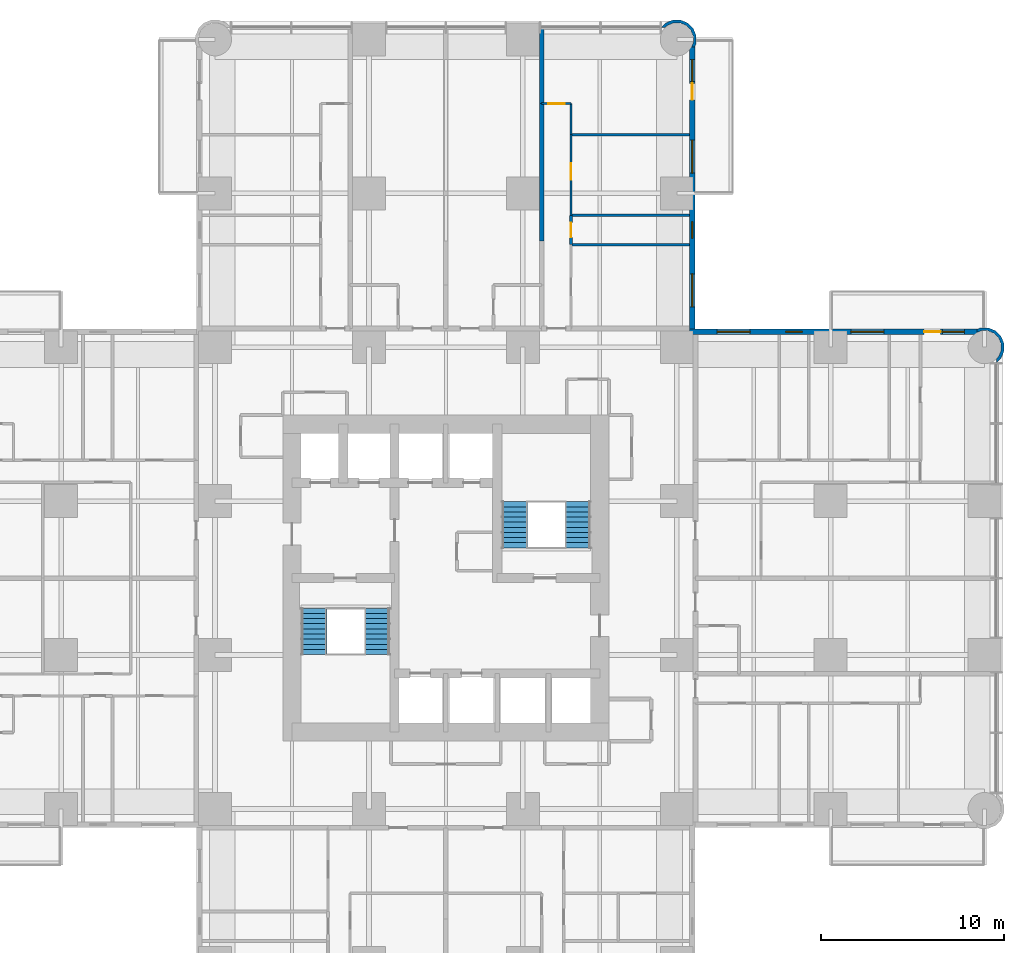
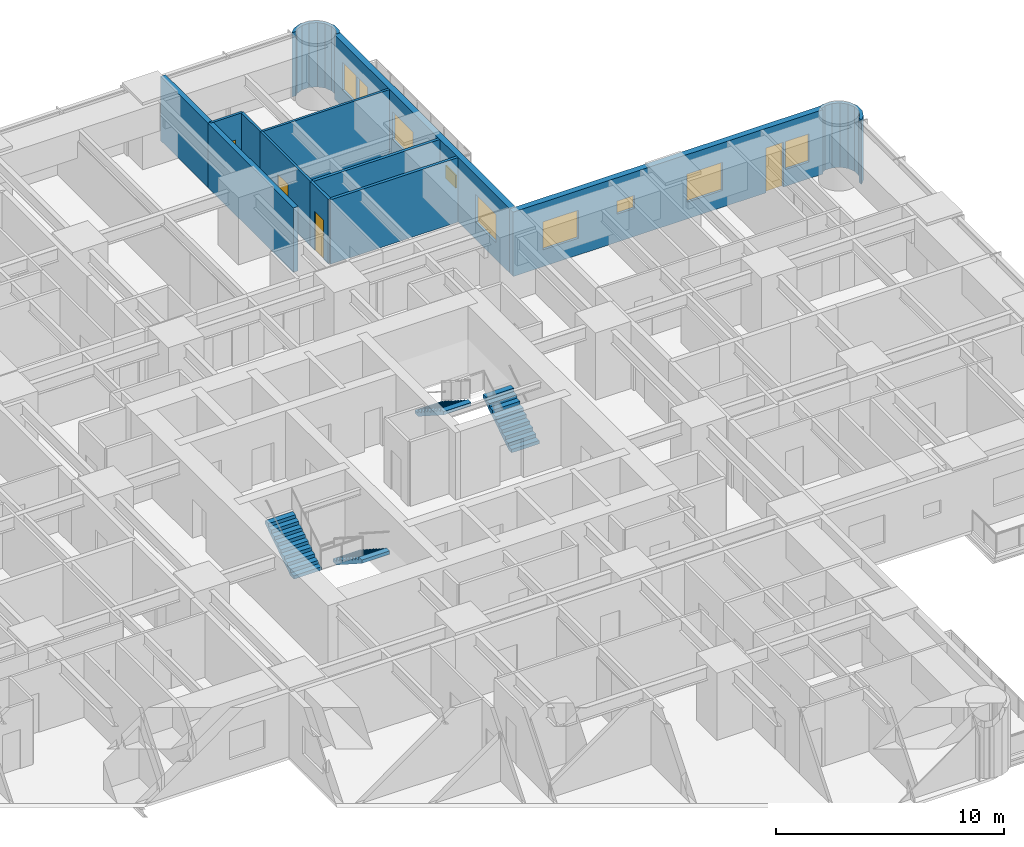
# One storey, part 15 of 17: 13 walls, 8 windows, 5 doors, 4 stair flights, 13 openings, 2 elements without a shape of their own.
"""IFC4 building model written with IfcOpenShell, lengths in metres."""

import ifcopenshell
import ifcopenshell.guid

model = None  # the IFC model being written
_history = None  # IfcOwnerHistory: only IFC2X3 demands one
_inside = {}  # id of a spatial element -> (the spatial element, [elements in it])
_under = {}  # id of a project, library or spatial element -> (it, [spatial elements below it])
_declared = {}  # id of a project -> (the project, [libraries it declares])
_typed = {}  # id of a type object -> (the type object, [elements of that type])
_made_of = {}  # id of a material, layer set ... -> (it, [elements and type objects made of it])


def new_model(schema):
    """Start an empty IFC model of exactly this schema.

    Asked for "IFC4X3", IfcOpenShell would pick the latest addendum, in which some entities
    have other attributes; the version numbers below select the first issue.
    IFC2X3 requires an IfcOwnerHistory on every rooted entity: one is made here for all.
    """
    global model, _history
    if schema == "IFC4X3":
        model = ifcopenshell.file(schema_version=(4, 3, 0, 0))
    else:
        model = ifcopenshell.file(schema=schema)
    _inside.clear()
    _under.clear()
    _declared.clear()
    _typed.clear()
    _made_of.clear()
    _history = None
    if model.schema == "IFC2X3":
        org = make("IfcOrganization", Name="unknown")
        user = make(
            "IfcPersonAndOrganization",
            ThePerson=make("IfcPerson", FamilyName="unknown"),
            TheOrganization=org,
        )
        app = make(
            "IfcApplication",
            ApplicationDeveloper=org,
            Version="unknown",
            ApplicationFullName="unknown",
            ApplicationIdentifier="unknown",
        )
        _history = make(
            "IfcOwnerHistory",
            OwningUser=user,
            OwningApplication=app,
            ChangeAction="ADDED",
            CreationDate=0,
        )
    return model


def make(cls, **values):
    """One entity of the class cls with the attributes given. An attribute that is None is left unset."""
    return model.create_entity(
        cls, **{name: value for name, value in values.items() if value is not None}
    )


def rooted(cls, **values):
    """An entity with a GlobalId (a new one), such as an element, a storey or a relation."""
    return make(cls, GlobalId=ifcopenshell.guid.new(), OwnerHistory=_history, **values)


def si_unit(unit_type, name, prefix=None):
    """IfcSIUnit, for example si_unit("LENGTHUNIT", "METRE", prefix="MILLI")."""
    return make("IfcSIUnit", UnitType=unit_type, Prefix=prefix, Name=name)


def assignment(units):
    """IfcUnitAssignment: the units of a project."""
    return None if units is None else make("IfcUnitAssignment", Units=units)


def point(xyz):
    """IfcCartesianPoint."""
    return None if xyz is None else make("IfcCartesianPoint", Coordinates=xyz)


def direction(xyz):
    """IfcDirection."""
    return None if xyz is None else make("IfcDirection", DirectionRatios=xyz)


def frame(location, z_axis=None, x_axis=None):
    """IfcAxis2Placement3D, a coordinate frame: its origin and axes. An axis left out is left unset."""
    return make(
        "IfcAxis2Placement3D",
        Location=point(location),
        Axis=direction(z_axis),
        RefDirection=direction(x_axis),
    )


def frame_2d(location, x_axis=None):
    """IfcAxis2Placement2D, a coordinate frame in the plane: its origin and x axis."""
    return make(
        "IfcAxis2Placement2D", Location=point(location), RefDirection=direction(x_axis)
    )


def origin():
    """The frame at (0, 0, 0) with its axes left unset."""
    return frame((0.0, 0.0, 0.0))


def place(relative_to, where):
    """IfcLocalPlacement: puts the frame where relative to a parent placement (None: the world)."""
    return make(
        "IfcLocalPlacement", PlacementRelTo=relative_to, RelativePlacement=where
    )


def context(
    kind, dimensions, precision=None, world=None, true_north=None, identifier=None
):
    """IfcGeometricRepresentationContext, for example the 3D "Model" context."""
    return make(
        "IfcGeometricRepresentationContext",
        ContextIdentifier=identifier,
        ContextType=kind,
        CoordinateSpaceDimension=dimensions,
        Precision=precision,
        WorldCoordinateSystem=world,
        TrueNorth=true_north,
    )


def subcontext(parent, identifier, kind, view, scale=None):
    """IfcGeometricRepresentationSubContext, for example "Body" below "Model"."""
    return make(
        "IfcGeometricRepresentationSubContext",
        ContextIdentifier=identifier,
        ContextType=kind,
        ParentContext=parent,
        TargetScale=scale,
        TargetView=view,
    )


def project(units=None, contexts=None):
    """IfcProject with its units and contexts."""
    return rooted(
        "IfcProject",
        Name="project",
        RepresentationContexts=contexts,
        UnitsInContext=assignment(units),
    )


def spatial(cls, under=None, at=None, **own):
    """A site, building, storey or space (cls), placed at a placement, below another one or the project."""
    s = rooted(cls, ObjectPlacement=at, **own)
    if under is not None:
        _under.setdefault(under.id(), (under, []))[1].append(s)
    return s


def polyline(points):
    """IfcPolyline through the points."""
    return make("IfcPolyline", Points=[point(p) for p in points])


def profile(cls, at=None, kind="AREA", **sizes):
    """A parametric profile (cls). Its sizes go by their IFC names, for example OverallWidth=200.0."""
    return make(cls, ProfileType=kind, Position=at, **sizes)


def rectangle(**sizes):
    """IfcRectangleProfileDef."""
    return profile("IfcRectangleProfileDef", **sizes)


def outline(outer, holes=None, kind="AREA"):
    """IfcArbitraryClosedProfileDef: a profile drawn as a closed curve; with holes, ...WithVoids."""
    if holes is None:
        return make("IfcArbitraryClosedProfileDef", ProfileType=kind, OuterCurve=outer)
    return make(
        "IfcArbitraryProfileDefWithVoids",
        ProfileType=kind,
        OuterCurve=outer,
        InnerCurves=holes,
    )


def extrude(swept, where, along, depth):
    """IfcExtrudedAreaSolid: the profile swept, set in the frame where, extruded along a direction by depth."""
    return make(
        "IfcExtrudedAreaSolid",
        SweptArea=swept,
        Position=where,
        ExtrudedDirection=direction(along),
        Depth=depth,
    )


def shape(context_of_items, identifier, shape_type, items):
    """IfcShapeRepresentation: the items that make up one representation, for example the "Body"."""
    return make(
        "IfcShapeRepresentation",
        ContextOfItems=context_of_items,
        RepresentationIdentifier=identifier,
        RepresentationType=shape_type,
        Items=items,
    )


def material(Name=None, Category=None):
    """IfcMaterial."""
    return make("IfcMaterial", Name=Name, Category=Category)


def layer(
    of_material, thickness, ventilated=None, Name=None, Category=None, Priority=None
):
    """IfcMaterialLayer: one layer of a wall or slab, of a material (None: an air gap)."""
    return make(
        "IfcMaterialLayer",
        Material=of_material,
        LayerThickness=thickness,
        IsVentilated=ventilated,
        Name=Name,
        Category=Category,
        Priority=Priority,
    )


def layer_set(layers, Name=None):
    """IfcMaterialLayerSet."""
    return make("IfcMaterialLayerSet", MaterialLayers=layers, LayerSetName=Name)


def made_of(thing, what):
    """Note that an element or type object is made of a material, layer set ...; save() writes the relation."""
    if what is not None:
        _made_of.setdefault(what.id(), (what, []))[1].append(thing)
    return thing


def type_object(cls, material=None, **own):
    """A type object (cls), such as IfcWallType, which elements share."""
    return made_of(rooted(cls, **own), material)


def element(
    cls,
    number,
    at=None,
    inside=None,
    cuts=None,
    type_object=None,
    material=None,
    context=None,
    identifier="Body",
    shape_type=None,
    held_by="IfcProductDefinitionShape",
    body=None,
    shapes=None,
    **own,
):
    """One element of the class cls, such as IfcWall. Its Tag is "e" and its number.

    at: its placement. inside: the storey or other place that contains it. cuts: it is an
    opening in that element (IfcRelVoidsElement). A single representation is given by context,
    identifier, shape_type and body (its items); several are given by shapes. held_by: the class
    of the entity that holds the representations. save() writes the other relations.
    """
    e = rooted(cls, Tag="e%d" % number, ObjectPlacement=at, **own)
    if body is not None:
        shapes = [shape(context, identifier, shape_type, body)]
    if shapes is not None:
        e.Representation = make(held_by, Representations=shapes)
    if inside is not None:
        _inside.setdefault(inside.id(), (inside, []))[1].append(e)
    if cuts is not None:
        rooted(
            "IfcRelVoidsElement", RelatingBuildingElement=cuts, RelatedOpeningElement=e
        )
    if type_object is not None:
        _typed.setdefault(type_object.id(), (type_object, []))[1].append(e)
    return made_of(e, material)


def fill(opening, filler):
    """IfcRelFillsElement: the door or window that sits in an opening."""
    return rooted(
        "IfcRelFillsElement",
        RelatingOpeningElement=opening,
        RelatedBuildingElement=filler,
    )


def aggregate(whole, parts):
    """IfcRelAggregates: a whole, such as a stair, and the parts it consists of."""
    return rooted("IfcRelAggregates", RelatingObject=whole, RelatedObjects=parts)


def save(model, path):
    """Write the relations noted so far, then the file.

    IfcRelAggregates (storeys below a building ...), IfcRelContainedInSpatialStructure (elements
    in a storey), IfcRelDefinesByType, IfcRelAssociatesMaterial and IfcRelDeclares: one each for
    every whole, place, type object, material and project.
    """
    for whole, parts in _under.values():
        aggregate(whole, parts)
    for where, things in _inside.values():
        rooted(
            "IfcRelContainedInSpatialStructure",
            RelatedElements=things,
            RelatingStructure=where,
        )
    for kind, things in _typed.values():
        rooted("IfcRelDefinesByType", RelatedObjects=things, RelatingType=kind)
    for what, things in _made_of.values():
        rooted("IfcRelAssociatesMaterial", RelatedObjects=things, RelatingMaterial=what)
    for by, libraries in _declared.values():
        rooted("IfcRelDeclares", RelatingContext=by, RelatedDefinitions=libraries)
    model.write(path)


model = new_model("IFC4")

# Units and contexts
model_context = context("Model", 3, precision=1e-05, world=origin(), true_north=direction((0.0, 1.0)))
body_context = subcontext(model_context, "Body", "Model", "MODEL_VIEW")
ifc_project = project(units=[si_unit("LENGTHUNIT", "METRE"), si_unit("AREAUNIT", "SQUARE_METRE"), si_unit("VOLUMEUNIT", "CUBIC_METRE"), si_unit("PLANEANGLEUNIT", "RADIAN"), si_unit("MASSUNIT", "GRAM", prefix="KILO")], contexts=[model_context])

# Site, building, storey
site_placement = place(None, origin())
site = spatial("IfcSite", under=ifc_project, at=site_placement, CompositionType="ELEMENT")
building_placement = place(site_placement, origin())
building = spatial("IfcBuilding", under=site, at=building_placement, Name="Torre Alcanfor", CompositionType="ELEMENT")
storey_placement = place(building_placement, frame((0.0, 0.0, 92.10009765625)))
storey = spatial("IfcBuildingStorey", under=building, at=storey_placement, Name="L23", CompositionType="ELEMENT", Elevation=92.10009765625)

# Wall, opening, door
ifc_material_1 = material(Name="Gypsum board on steel studs", Category="steel")
ifc_layer_1 = layer(ifc_material_1, 0.1201171875)
ifc_layer_set_1 = layer_set([ifc_layer_1], Name="Apartment partition 120")
wall_type_1 = type_object("IfcWallType", Name="Apartment partition 120", PredefinedType="PARTITIONING", material=ifc_layer_set_1)
wall_1_placement = place(storey_placement, frame((36.22900390625, 53.60009765625, 0.0), z_axis=(0.0, 0.0, 1.0), x_axis=(0.0, -1.0, 0.0)))
wall_1 = element("IfcWall", 1, at=wall_1_placement, inside=storey, type_object=wall_type_1, Name="Partition L23-N2B-HALL / L23-N2B-STUDY", PredefinedType="PARTITIONING", context=body_context, shape_type="SweptSolid", body=[
    extrude(rectangle(XDim=4.400146484375, YDim=0.1201171875, at=frame_2d((2.2001953125, 0.0))), origin(), (0.0, 0.0, 1.0), 3.449951171875),
])
opening_1_placement = place(wall_1_placement, frame((1.550048828125, 0.0, 0.0)))
opening_1 = element("IfcOpeningElement", 2, at=opening_1_placement, cuts=wall_1, Name="Opening D-R1", PredefinedType="OPENING", context=body_context, shape_type="SweptSolid", body=[
    extrude(rectangle(XDim=0.89990234375, YDim=2.10009765625, at=frame_2d((0.449951171875, 1.050048828125))), frame((0.0, 0.070068359375, 0.0), z_axis=(0.0, -1.0, 0.0), x_axis=(1.0, 0.0, 0.0)), (0.0, 0.0, 1.0), 0.14013671875),
])
ifc_material_2 = material(Name="Timber", Category="wood")
door_type_1 = type_object("IfcDoorType", Name="Internal door 900x2100", OperationType="SINGLE_SWING_LEFT", PredefinedType="DOOR", material=ifc_material_2)
door_1_placement = place(opening_1_placement, origin())
door_1 = element("IfcDoor", 3, at=door_1_placement, inside=storey, type_object=door_type_1, Name="Door L23-N2B study", OperationType="SINGLE_SWING_LEFT", OverallHeight=2.10009765625, OverallWidth=0.89990234375, PredefinedType="DOOR", context=body_context, shape_type="SweptSolid", body=[
    extrude(rectangle(XDim=0.89990234375, YDim=2.10009765625, at=frame_2d((0.449951171875, 1.050048828125))), frame((0.0, 0.02490234375, 0.0), z_axis=(0.0, -1.0, 0.0), x_axis=(1.0, 0.0, 0.0)), (0.0, 0.0, 1.0), 0.050048828125),
])
fill(opening_1, door_1)

# Wall
wall_2_placement = place(storey_placement, frame((36.22900390625, 55.300048828125, 0.0), z_axis=(0.0, 0.0, 1.0), x_axis=(0.0, -1.0, 0.0)))
element("IfcWall", 4, at=wall_2_placement, inside=storey, type_object=wall_type_1, Name="Partition L23-N2B-HALL / L23-N2B-KITCHEN", PredefinedType="PARTITIONING", context=body_context, shape_type="SweptSolid", body=[
    extrude(rectangle(XDim=1.699951171875, YDim=0.1201171875, at=frame_2d((0.85009765625, 0.0))), origin(), (0.0, 0.0, 1.0), 3.449951171875),
])

# Wall, opening, door
wall_3_placement = place(storey_placement, frame((34.62890625, 55.300048828125, 0.0), z_axis=(0.0, 0.0, 1.0), x_axis=(1.0, 0.0, 0.0)))
wall_3 = element("IfcWall", 5, at=wall_3_placement, inside=storey, type_object=wall_type_1, Name="Partition L23-N2B-HALL / L23-N2B-LIVING", PredefinedType="PARTITIONING", context=body_context, shape_type="SweptSolid", body=[
    extrude(rectangle(XDim=1.60009765625, YDim=0.1201171875, at=frame_2d((0.800048828125, 0.0))), origin(), (0.0, 0.0, 1.0), 3.449951171875),
])
opening_2_placement = place(wall_3_placement, frame((0.35009765625, 0.0, 0.0)))
opening_2 = element("IfcOpeningElement", 6, at=opening_2_placement, cuts=wall_3, Name="Opening D-R1", PredefinedType="OPENING", context=body_context, shape_type="SweptSolid", body=[
    extrude(rectangle(XDim=0.89990234375, YDim=2.10009765625, at=frame_2d((0.449951171875, 1.050048828125))), frame((0.0, 0.070068359375, 0.0), z_axis=(0.0, -1.0, 0.0), x_axis=(1.0, 0.0, 0.0)), (0.0, 0.0, 1.0), 0.14013671875),
])
door_2_placement = place(opening_2_placement, origin())
door_2 = element("IfcDoor", 7, at=door_2_placement, inside=storey, type_object=door_type_1, Name="Door L23-N2B living", OperationType="SINGLE_SWING_LEFT", OverallHeight=2.10009765625, OverallWidth=0.89990234375, PredefinedType="DOOR", context=body_context, shape_type="SweptSolid", body=[
    extrude(rectangle(XDim=0.89990234375, YDim=2.10009765625, at=frame_2d((0.449951171875, 1.050048828125))), frame((0.0, 0.02490234375, 0.0), z_axis=(0.0, -1.0, 0.0), x_axis=(1.0, 0.0, 0.0)), (0.0, 0.0, 1.0), 0.050048828125),
])
fill(opening_2, door_2)

# Wall
wall_4_placement = place(storey_placement, frame((36.22900390625, 53.60009765625, 0.0), z_axis=(0.0, 0.0, 1.0), x_axis=(1.0, 0.0, 0.0)))
element("IfcWall", 8, at=wall_4_placement, inside=storey, type_object=wall_type_1, Name="Partition L23-N2B-STUDY / L23-N2B-KITCHEN", PredefinedType="PARTITIONING", context=body_context, shape_type="SweptSolid", body=[
    extrude(rectangle(XDim=6.470947265625, YDim=0.1201171875, at=frame_2d((3.2353515625, 0.0))), origin(), (0.0, 0.0, 1.0), 3.449951171875),
])

# Wall, openings, door, windows
ifc_material_3 = material(Name="Limestone cladding", Category="masonry")
ifc_layer_2 = layer(ifc_material_3, 0.0400390625, Name="Facing")
ifc_material_4 = material(Name="Ventilated air cavity")
ifc_layer_3 = layer(ifc_material_4, 0.02001953125, ventilated=True, Name="Ventilated joint")
ifc_material_5 = material(Name="Mineral wool insulation", Category="insulation")
ifc_layer_4 = layer(ifc_material_5, 0.10009765625, Name="Insulation")
ifc_material_6 = material(Name="Concrete f'c 35 MPa", Category="concrete")
ifc_layer_5 = layer(ifc_material_6, 0.139892578125, Name="Backing")
ifc_layer_set_2 = layer_set([ifc_layer_2, ifc_layer_3, ifc_layer_4, ifc_layer_5], Name="External wall stone-clad 300")
wall_type_2 = type_object("IfcWallType", Name="External wall stone-clad 300", PredefinedType="SOLIDWALL", material=ifc_layer_set_2)
wall_5_placement = place(storey_placement, frame((58.39990234375, 42.85009765625, 0.0), z_axis=(0.0, 0.0, 1.0), x_axis=(-1.0, 0.0, 0.0)))
wall_5 = element("IfcWall", 9, at=wall_5_placement, inside=storey, type_object=wall_type_2, Name="External wall L23 9", PredefinedType="SOLIDWALL", context=body_context, shape_type="SweptSolid", body=[
    extrude(rectangle(XDim=15.699951171875, YDim=0.300048828125, at=frame_2d((7.85009765625, 0.0))), origin(), (0.0, 0.0, 1.0), 3.449951171875),
])
opening_3_placement = place(wall_5_placement, frame((12.39990234375, 0.0, 0.89990234375)))
opening_3 = element("IfcOpeningElement", 10, at=opening_3_placement, cuts=wall_5, Name="Opening W2", PredefinedType="OPENING", context=body_context, shape_type="SweptSolid", body=[
    extrude(rectangle(XDim=1.800048828125, YDim=1.5, at=frame_2d((0.89990234375, 0.75))), frame((0.0, 0.159912109375, 0.0), z_axis=(0.0, -1.0, 0.0), x_axis=(1.0, 0.0, 0.0)), (0.0, 0.0, 1.0), 0.320068359375),
])
opening_4_placement = place(wall_5_placement, frame((9.550048828125, 0.0, 1.5)))
opening_4 = element("IfcOpeningElement", 11, at=opening_4_placement, cuts=wall_5, Name="Opening W3", PredefinedType="OPENING", context=body_context, shape_type="SweptSolid", body=[
    extrude(rectangle(XDim=0.89990234375, YDim=0.699951171875, at=frame_2d((0.449951171875, 0.35009765625))), frame((0.0, 0.159912109375, 0.0), z_axis=(0.0, -1.0, 0.0), x_axis=(1.0, 0.0, 0.0)), (0.0, 0.0, 1.0), 0.320068359375),
])
opening_5_placement = place(wall_5_placement, frame((5.10009765625, 0.0, 0.89990234375)))
opening_5 = element("IfcOpeningElement", 12, at=opening_5_placement, cuts=wall_5, Name="Opening W2", PredefinedType="OPENING", context=body_context, shape_type="SweptSolid", body=[
    extrude(rectangle(XDim=1.800048828125, YDim=1.5, at=frame_2d((0.89990234375, 0.75))), frame((0.0, 0.159912109375, 0.0), z_axis=(0.0, -1.0, 0.0), x_axis=(1.0, 0.0, 0.0)), (0.0, 0.0, 1.0), 0.320068359375),
])
opening_6_placement = place(wall_5_placement, frame((2.0, 0.0, 0.0)))
opening_6 = element("IfcOpeningElement", 13, at=opening_6_placement, cuts=wall_5, Name="Opening D-B1", PredefinedType="OPENING", context=body_context, shape_type="SweptSolid", body=[
    extrude(rectangle(XDim=0.89990234375, YDim=2.39990234375, at=frame_2d((0.449951171875, 1.199951171875))), frame((0.0, 0.159912109375, 0.0), z_axis=(0.0, -1.0, 0.0), x_axis=(1.0, 0.0, 0.0)), (0.0, 0.0, 1.0), 0.320068359375),
])
opening_7_placement = place(wall_5_placement, frame((0.699951171875, 0.0, 0.89990234375)))
opening_7 = element("IfcOpeningElement", 14, at=opening_7_placement, cuts=wall_5, Name="Opening W4", PredefinedType="OPENING", context=body_context, shape_type="SweptSolid", body=[
    extrude(rectangle(XDim=1.199951171875, YDim=1.5, at=frame_2d((0.60009765625, 0.75))), frame((0.0, 0.159912109375, 0.0), z_axis=(0.0, -1.0, 0.0), x_axis=(1.0, 0.0, 0.0)), (0.0, 0.0, 1.0), 0.320068359375),
])
ifc_material_7 = material(Name="Aluminium and glass", Category="aluminium")
door_type_2 = type_object("IfcDoorType", Name="Balcony door glazed 900x2400", OperationType="SINGLE_SWING_LEFT", PredefinedType="DOOR", material=ifc_material_7)
door_3_placement = place(opening_6_placement, origin())
door_3 = element("IfcDoor", 15, at=door_3_placement, inside=storey, type_object=door_type_2, Name="Balcony door L23-E1", OperationType="SINGLE_SWING_RIGHT", OverallHeight=2.39990234375, OverallWidth=0.89990234375, PredefinedType="DOOR", context=body_context, shape_type="SweptSolid", body=[
    extrude(rectangle(XDim=0.89990234375, YDim=2.39990234375, at=frame_2d((0.449951171875, 1.199951171875))), frame((0.0, 0.02490234375, 0.0), z_axis=(0.0, -1.0, 0.0), x_axis=(1.0, 0.0, 0.0)), (0.0, 0.0, 1.0), 0.050048828125),
])
fill(opening_6, door_3)
ifc_material_8 = material(Name="Aluminium frame with clear double glazing", Category="aluminium")
window_type_1 = type_object("IfcWindowType", Name="Window bathroom 900x700", PartitioningType="SINGLE_PANEL", PredefinedType="WINDOW", material=ifc_material_8)
window_1_placement = place(opening_4_placement, origin())
window_1 = element("IfcWindow", 16, at=window_1_placement, inside=storey, type_object=window_type_1, Name="Window W3 L23-E1", OverallHeight=0.699951171875, OverallWidth=0.89990234375, PartitioningType="SINGLE_PANEL", PredefinedType="WINDOW", context=body_context, shape_type="SweptSolid", body=[
    extrude(rectangle(XDim=0.89990234375, YDim=0.699951171875, at=frame_2d((0.449951171875, 0.35009765625))), frame((0.0, 0.030029296875, 0.0), z_axis=(0.0, -1.0, 0.0), x_axis=(1.0, 0.0, 0.0)), (0.0, 0.0, 1.0), 0.06005859375),
])
fill(opening_4, window_1)
ifc_material_9 = material(Name="Aluminium frame with clear double glazing", Category="aluminium")
window_type_2 = type_object("IfcWindowType", Name="Window bedroom 1200x1500", PartitioningType="SINGLE_PANEL", PredefinedType="WINDOW", material=ifc_material_9)
window_2_placement = place(opening_7_placement, origin())
window_2 = element("IfcWindow", 17, at=window_2_placement, inside=storey, type_object=window_type_2, Name="Window W4 L23-E1", OverallHeight=1.5, OverallWidth=1.199951171875, PartitioningType="SINGLE_PANEL", PredefinedType="WINDOW", context=body_context, shape_type="SweptSolid", body=[
    extrude(rectangle(XDim=1.199951171875, YDim=1.5, at=frame_2d((0.60009765625, 0.75))), frame((0.0, 0.030029296875, 0.0), z_axis=(0.0, -1.0, 0.0), x_axis=(1.0, 0.0, 0.0)), (0.0, 0.0, 1.0), 0.06005859375),
])
fill(opening_7, window_2)
ifc_material_10 = material(Name="Aluminium frame with clear double glazing", Category="aluminium")
window_type_3 = type_object("IfcWindowType", Name="Window bedroom 1800x1500", PartitioningType="SINGLE_PANEL", PredefinedType="WINDOW", material=ifc_material_10)
window_3_placement = place(opening_3_placement, origin())
window_3 = element("IfcWindow", 18, at=window_3_placement, inside=storey, type_object=window_type_3, Name="Window W2 L23-E1", OverallHeight=1.5, OverallWidth=1.800048828125, PartitioningType="SINGLE_PANEL", PredefinedType="WINDOW", context=body_context, shape_type="SweptSolid", body=[
    extrude(rectangle(XDim=1.800048828125, YDim=1.5, at=frame_2d((0.89990234375, 0.75))), frame((0.0, 0.030029296875, 0.0), z_axis=(0.0, -1.0, 0.0), x_axis=(1.0, 0.0, 0.0)), (0.0, 0.0, 1.0), 0.06005859375),
])
fill(opening_3, window_3)
window_4_placement = place(opening_5_placement, origin())
window_4 = element("IfcWindow", 19, at=window_4_placement, inside=storey, type_object=window_type_3, Name="Window W2 L23-E1", OverallHeight=1.5, OverallWidth=1.800048828125, PartitioningType="SINGLE_PANEL", PredefinedType="WINDOW", context=body_context, shape_type="SweptSolid", body=[
    extrude(rectangle(XDim=1.800048828125, YDim=1.5, at=frame_2d((0.89990234375, 0.75))), frame((0.0, 0.030029296875, 0.0), z_axis=(0.0, -1.0, 0.0), x_axis=(1.0, 0.0, 0.0)), (0.0, 0.0, 1.0), 0.06005859375),
])
fill(opening_5, window_4)

wall_6_placement = place(storey_placement, frame((42.85009765625, 43.0, 0.0), z_axis=(0.0, 0.0, 1.0), x_axis=(0.0, 1.0, 0.0)))
wall_6 = element("IfcWall", 20, at=wall_6_placement, inside=storey, type_object=wall_type_2, Name="External wall L23 10", PredefinedType="SOLIDWALL", context=body_context, shape_type="SweptSolid", body=[
    extrude(rectangle(XDim=15.39990234375, YDim=0.300048828125, at=frame_2d((7.699951171875, 0.0))), origin(), (0.0, 0.0, 1.0), 3.449951171875),
])
opening_8_placement = place(wall_6_placement, frame((1.199951171875, 0.0, 0.89990234375)))
opening_8 = element("IfcOpeningElement", 21, at=opening_8_placement, cuts=wall_6, Name="Opening W2", PredefinedType="OPENING", context=body_context, shape_type="SweptSolid", body=[
    extrude(rectangle(XDim=1.800048828125, YDim=1.5, at=frame_2d((0.89990234375, 0.75))), frame((0.0, 0.159912109375, 0.0), z_axis=(0.0, -1.0, 0.0), x_axis=(1.0, 0.0, 0.0)), (0.0, 0.0, 1.0), 0.320068359375),
])
opening_9_placement = place(wall_6_placement, frame((4.949951171875, 0.0, 1.5)))
opening_9 = element("IfcOpeningElement", 22, at=opening_9_placement, cuts=wall_6, Name="Opening W3", PredefinedType="OPENING", context=body_context, shape_type="SweptSolid", body=[
    extrude(rectangle(XDim=0.89990234375, YDim=0.699951171875, at=frame_2d((0.449951171875, 0.35009765625))), frame((0.0, 0.159912109375, 0.0), z_axis=(0.0, -1.0, 0.0), x_axis=(1.0, 0.0, 0.0)), (0.0, 0.0, 1.0), 0.320068359375),
])
opening_10_placement = place(wall_6_placement, frame((8.5, 0.0, 0.89990234375)))
opening_10 = element("IfcOpeningElement", 23, at=opening_10_placement, cuts=wall_6, Name="Opening W2", PredefinedType="OPENING", context=body_context, shape_type="SweptSolid", body=[
    extrude(rectangle(XDim=1.800048828125, YDim=1.5, at=frame_2d((0.89990234375, 0.75))), frame((0.0, 0.159912109375, 0.0), z_axis=(0.0, -1.0, 0.0), x_axis=(1.0, 0.0, 0.0)), (0.0, 0.0, 1.0), 0.320068359375),
])
opening_11_placement = place(wall_6_placement, frame((12.5, 0.0, 0.0)))
opening_11 = element("IfcOpeningElement", 24, at=opening_11_placement, cuts=wall_6, Name="Opening D-B1", PredefinedType="OPENING", context=body_context, shape_type="SweptSolid", body=[
    extrude(rectangle(XDim=0.89990234375, YDim=2.39990234375, at=frame_2d((0.449951171875, 1.199951171875))), frame((0.0, 0.159912109375, 0.0), z_axis=(0.0, -1.0, 0.0), x_axis=(1.0, 0.0, 0.0)), (0.0, 0.0, 1.0), 0.320068359375),
])
opening_12_placement = place(wall_6_placement, frame((13.5, 0.0, 0.89990234375)))
opening_12 = element("IfcOpeningElement", 25, at=opening_12_placement, cuts=wall_6, Name="Opening W4", PredefinedType="OPENING", context=body_context, shape_type="SweptSolid", body=[
    extrude(rectangle(XDim=1.199951171875, YDim=1.5, at=frame_2d((0.60009765625, 0.75))), frame((0.0, 0.159912109375, 0.0), z_axis=(0.0, -1.0, 0.0), x_axis=(1.0, 0.0, 0.0)), (0.0, 0.0, 1.0), 0.320068359375),
])
door_4_placement = place(opening_11_placement, origin())
door_4 = element("IfcDoor", 26, at=door_4_placement, inside=storey, type_object=door_type_2, Name="Balcony door L23-N2", OperationType="SINGLE_SWING_LEFT", OverallHeight=2.39990234375, OverallWidth=0.89990234375, PredefinedType="DOOR", context=body_context, shape_type="SweptSolid", body=[
    extrude(rectangle(XDim=0.89990234375, YDim=2.39990234375, at=frame_2d((0.449951171875, 1.199951171875))), frame((0.0, 0.02490234375, 0.0), z_axis=(0.0, -1.0, 0.0), x_axis=(1.0, 0.0, 0.0)), (0.0, 0.0, 1.0), 0.050048828125),
])
fill(opening_11, door_4)
window_5_placement = place(opening_9_placement, origin())
window_5 = element("IfcWindow", 27, at=window_5_placement, inside=storey, type_object=window_type_1, Name="Window W3 L23-N2", OverallHeight=0.699951171875, OverallWidth=0.89990234375, PartitioningType="SINGLE_PANEL", PredefinedType="WINDOW", context=body_context, shape_type="SweptSolid", body=[
    extrude(rectangle(XDim=0.89990234375, YDim=0.699951171875, at=frame_2d((0.449951171875, 0.35009765625))), frame((0.0, 0.030029296875, 0.0), z_axis=(0.0, -1.0, 0.0), x_axis=(1.0, 0.0, 0.0)), (0.0, 0.0, 1.0), 0.06005859375),
])
fill(opening_9, window_5)
window_6_placement = place(opening_12_placement, origin())
window_6 = element("IfcWindow", 28, at=window_6_placement, inside=storey, type_object=window_type_2, Name="Window W4 L23-N2", OverallHeight=1.5, OverallWidth=1.199951171875, PartitioningType="SINGLE_PANEL", PredefinedType="WINDOW", context=body_context, shape_type="SweptSolid", body=[
    extrude(rectangle(XDim=1.199951171875, YDim=1.5, at=frame_2d((0.60009765625, 0.75))), frame((0.0, 0.030029296875, 0.0), z_axis=(0.0, -1.0, 0.0), x_axis=(1.0, 0.0, 0.0)), (0.0, 0.0, 1.0), 0.06005859375),
])
fill(opening_12, window_6)
window_7_placement = place(opening_8_placement, origin())
window_7 = element("IfcWindow", 29, at=window_7_placement, inside=storey, type_object=window_type_3, Name="Window W2 L23-N2", OverallHeight=1.5, OverallWidth=1.800048828125, PartitioningType="SINGLE_PANEL", PredefinedType="WINDOW", context=body_context, shape_type="SweptSolid", body=[
    extrude(rectangle(XDim=1.800048828125, YDim=1.5, at=frame_2d((0.89990234375, 0.75))), frame((0.0, 0.030029296875, 0.0), z_axis=(0.0, -1.0, 0.0), x_axis=(1.0, 0.0, 0.0)), (0.0, 0.0, 1.0), 0.06005859375),
])
fill(opening_8, window_7)
window_8_placement = place(opening_10_placement, origin())
window_8 = element("IfcWindow", 30, at=window_8_placement, inside=storey, type_object=window_type_3, Name="Window W2 L23-N2", OverallHeight=1.5, OverallWidth=1.800048828125, PartitioningType="SINGLE_PANEL", PredefinedType="WINDOW", context=body_context, shape_type="SweptSolid", body=[
    extrude(rectangle(XDim=1.800048828125, YDim=1.5, at=frame_2d((0.89990234375, 0.75))), frame((0.0, 0.030029296875, 0.0), z_axis=(0.0, -1.0, 0.0), x_axis=(1.0, 0.0, 0.0)), (0.0, 0.0, 1.0), 0.06005859375),
])
fill(opening_10, window_8)

# Walls
ifc_material_11 = material(Name="Concrete block masonry, hollow blocks NMX-C-404 9 MPa", Category="masonry")
ifc_layer_6 = layer(ifc_material_11, 0.25)
ifc_layer_set_3 = layer_set([ifc_layer_6], Name="Party wall 250 EI 60")
wall_type_3 = type_object("IfcWallType", Name="Party wall 250 EI 60", PredefinedType="PARTITIONING", material=ifc_layer_set_3)
wall_7_placement = place(storey_placement, frame((34.62890625, 55.300048828125, 0.0), z_axis=(0.0, 0.0, 1.0), x_axis=(0.0, -1.0, 0.0)))
element("IfcWall", 31, at=wall_7_placement, inside=storey, type_object=wall_type_3, Name="Partition L23-N2A-STUDIO / L23-N2B-HALL", PredefinedType="PARTITIONING", context=body_context, shape_type="SweptSolid", body=[
    extrude(rectangle(XDim=7.5, YDim=0.25, at=frame_2d((3.75, 0.0))), origin(), (0.0, 0.0, 1.0), 3.449951171875),
])
wall_8_placement = place(storey_placement, frame((34.62890625, 59.449951171875, 0.0), z_axis=(0.0, 0.0, 1.0), x_axis=(0.0, -1.0, 0.0)))
element("IfcWall", 32, at=wall_8_placement, inside=storey, type_object=wall_type_3, Name="Partition L23-N2A-STUDIO / L23-N2B-LIVING", PredefinedType="PARTITIONING", context=body_context, shape_type="SweptSolid", body=[
    extrude(rectangle(XDim=4.14990234375, YDim=0.25, at=frame_2d((2.074951171875, 0.0))), origin(), (0.0, 0.0, 1.0), 3.449951171875),
])
ifc_layer_7 = layer(ifc_material_3, 0.0400390625, Name="Facing")
ifc_layer_8 = layer(ifc_material_4, 0.02001953125, ventilated=True, Name="Ventilated joint")
ifc_layer_9 = layer(ifc_material_5, 0.10009765625, Name="Insulation")
ifc_layer_10 = layer(ifc_material_6, 0.139892578125, Name="Backing")
ifc_layer_set_4 = layer_set([ifc_layer_7, ifc_layer_8, ifc_layer_9, ifc_layer_10], Name="Rounded corner pier stone-clad 300")
wall_type_4 = type_object("IfcWallType", Name="Rounded corner pier stone-clad 300", PredefinedType="SOLIDWALL", material=ifc_layer_set_4)
wall_9_placement = place(storey_placement, frame((59.410519256, 41.23340608, 0.0), z_axis=(0.0, 0.0, 1.0), x_axis=(0.926129809145, 0.377204953059, 0.0)))
element("IfcWall", 33, at=wall_9_placement, inside=storey, type_object=wall_type_4, Name="Corner pier L23 18", PredefinedType="SOLIDWALL", context=body_context, shape_type="SweptSolid", body=[
    extrude(outline(polyline([(0.6260654471319579, 0.34524919711057256), (0.7850146045978224, 0.7355079985228963), (0.7823098124660501, 1.1573373086599013), (0.6187697625812524, 1.546081906916958), (0.31877691555394516, 1.8425152342918512), (-0.07170799176881437, 2.0015564828107086), (-0.24004949470661174, 2.000526523212158), (-0.2695944713928893, 2.0173049949130335), (-0.36998902843916337, 1.8407134525266757), (-0.10235758996356603, 1.8421635923174307), (0.22956588655630128, 1.7069739265237522), (0.4845024203782949, 1.4552530429107593), (0.6236098424040335, 1.1249645948716174), (0.6257138051575375, 0.7663837026280839), (0.49052413936385914, 0.43446022610821644), (0.23848505878743742, 0.1793896774287799), (0.09020527382959523, 0.11693875386038477), (0.010914877202648991, -0.0777384350249053), (0.02448123182880161, -0.08326389820448342), (0.32940601384662893, 0.045348441136258355), (0.47997135267738844, 0.19755163478368112), (0.49907282709518125, 0.19267151555903828), (0.5076193949673722, 0.22530566424262682), (0.6260654471319579, 0.34524919711057256)])), origin(), (0.0, 0.0, 1.0), 3.449951171875),
])
wall_10_placement = place(storey_placement, frame((42.909907157, 58.436037137, 0.0), z_axis=(0.0, 0.0, 1.0), x_axis=(0.377204953059, 0.926129809145, 0.0)))
element("IfcWall", 34, at=wall_10_placement, inside=storey, type_object=wall_type_4, Name="Corner pier L23 19", PredefinedType="SOLIDWALL", context=body_context, shape_type="SweptSolid", body=[
    extrude(outline(polyline([(0.7691852559267269, 1.7275655888693722), (0.7500837815089341, 1.7226854696447296), (0.5995184426781746, 1.8748886632921522), (0.2945936606603473, 2.0035010026328943), (0.2810273060341947, 1.997975539453316), (0.36031770266114094, 1.803298350568026), (0.5085974876189833, 1.7408474269996308), (0.7606365681954048, 1.4857768783201941), (0.8958262339890831, 1.1538534018003268), (0.8937222712355792, 0.7952725095567933), (0.7546148492098406, 0.46498406151765126), (0.499678315387847, 0.21326317790465843), (0.16775483886797962, 0.07807351211098004), (-0.09987659960761772, 0.07952365190173498), (0.0005179574386563676, -0.09706789048462287), (0.030062934124933945, -0.08028941878374739), (0.19840443706273136, -0.08131937838229769), (0.5888893443854909, 0.07772187013655965), (0.888882191412798, 0.3741551975114527), (1.0524222412975957, 0.7628997957685094), (1.0551270334293679, 1.1847291059055145), (0.8961778759635035, 1.5749879073178383), (0.7777318237989179, 1.6949314401857838), (0.7691852559267269, 1.7275655888693722)])), origin(), (0.0, 0.0, 1.0), 3.449951171875),
])

# Wall, opening, door
ifc_material_12 = material(Name="Cement board on steel studs", Category="steel")
ifc_layer_11 = layer(ifc_material_12, 0.14990234375)
ifc_layer_set_5 = layer_set([ifc_layer_11], Name="Wet area partition 150")
wall_type_5 = type_object("IfcWallType", Name="Wet area partition 150", PredefinedType="PARTITIONING", material=ifc_layer_set_5)
wall_11_placement = place(storey_placement, frame((36.22900390625, 49.199951171875, 0.0), z_axis=(0.0, 0.0, 1.0), x_axis=(0.0, -1.0, 0.0)))
wall_11 = element("IfcWall", 35, at=wall_11_placement, inside=storey, type_object=wall_type_5, Name="Partition L23-N2B-HALL / L23-N2B-BATH", PredefinedType="PARTITIONING", context=body_context, shape_type="SweptSolid", body=[
    extrude(rectangle(XDim=1.599853515625, YDim=0.14990234375, at=frame_2d((0.7998046875, 0.0))), origin(), (0.0, 0.0, 1.0), 3.449951171875),
])
opening_13_placement = place(wall_11_placement, frame((0.39990234375, 0.0, 0.0)))
opening_13 = element("IfcOpeningElement", 36, at=opening_13_placement, cuts=wall_11, Name="Opening D-R2", PredefinedType="OPENING", context=body_context, shape_type="SweptSolid", body=[
    extrude(rectangle(XDim=0.800048828125, YDim=2.10009765625, at=frame_2d((0.39990234375, 1.050048828125))), frame((0.0, 0.0849609375, 0.0), z_axis=(0.0, -1.0, 0.0), x_axis=(1.0, 0.0, 0.0)), (0.0, 0.0, 1.0), 0.169921875),
])
ifc_material_13 = material(Name="Timber", Category="wood")
door_type_3 = type_object("IfcDoorType", Name="Bathroom door 800x2100", OperationType="SINGLE_SWING_LEFT", PredefinedType="DOOR", material=ifc_material_13)
door_5_placement = place(opening_13_placement, origin())
door_5 = element("IfcDoor", 37, at=door_5_placement, inside=storey, type_object=door_type_3, Name="Door L23-N2B bath", OperationType="SINGLE_SWING_LEFT", OverallHeight=2.10009765625, OverallWidth=0.800048828125, PredefinedType="DOOR", context=body_context, shape_type="SweptSolid", body=[
    extrude(rectangle(XDim=0.800048828125, YDim=2.10009765625, at=frame_2d((0.39990234375, 1.050048828125))), frame((0.0, 0.02490234375, 0.0), z_axis=(0.0, -1.0, 0.0), x_axis=(1.0, 0.0, 0.0)), (0.0, 0.0, 1.0), 0.050048828125),
])
fill(opening_13, door_5)

# Walls
for number, where, z_axis, x_axis, name in (
    (38, (36.22900390625, 47.60009765625, 0.0), (0.0, 0.0, 1.0), (1.0, 0.0, 0.0), "Partition L23-N2B-MASTER / L23-N2B-BATH"),
    (39, (36.22900390625, 49.199951171875, 0.0), (0.0, 0.0, 1.0), (1.0, 0.0, 0.0), "Partition L23-N2B-BATH / L23-N2B-STUDY"),
):
    element("IfcWall", number, at=place(storey_placement, frame(where, z_axis=z_axis, x_axis=x_axis)), inside=storey, type_object=wall_type_5, Name=name, PredefinedType="PARTITIONING", context=body_context, shape_type="SweptSolid", body=[
        extrude(rectangle(XDim=6.470947265625, YDim=0.14990234375, at=frame_2d((3.2353515625, 0.0))), origin(), (0.0, 0.0, 1.0), 3.449951171875),
    ])

# Stair, stair flights
ifc_material_14 = material(Name="Concrete f'c 35 MPa", Category="concrete")
stair_type_1 = type_object("IfcStairType", Name="Exit stair S1 1400 wide", PredefinedType="HALF_TURN_STAIR", material=ifc_material_14)
stair_1_placement = place(storey_placement, origin())
stair_1 = element("IfcStair", 40, at=stair_1_placement, inside=storey, type_object=stair_type_1, Name="Stair S1 L23 to L24", PredefinedType="HALF_TURN_STAIR")
ifc_material_15 = material(Name="Concrete f'c 35 MPa", Category="concrete")
stair_flight_type = type_object("IfcStairFlightType", Name="Stair flight 1400", PredefinedType="STRAIGHT", material=ifc_material_15)
stair_flight_1_placement = place(storey_placement, frame((25.64990234375, 27.75, 0.0), z_axis=(0.0, 0.0, 1.0), x_axis=(0.0, -1.0, 0.0)))
stair_flight_1 = element("IfcStairFlight", 41, at=stair_flight_1_placement, type_object=stair_flight_type, Name="S1 flight 1", NumberOfRisers=10, NumberOfTreads=9, PredefinedType="STRAIGHT", RiserHeight=0.18, TreadLength=0.28, context=body_context, shape_type="SweptSolid", body=[
    extrude(outline(polyline([(0.0, 0.0), (0.0, 0.179931640625), (0.280029296875, 0.179931640625), (0.280029296875, 0.360107421875), (0.56005859375, 0.360107421875), (0.56005859375, 0.5400390625), (0.840087890625, 0.5400390625), (0.840087890625, 0.719970703125), (1.1201171875, 0.719970703125), (1.1201171875, 0.89990234375), (1.39990234375, 0.89990234375), (1.39990234375, 1.080078125), (1.679931640625, 1.080078125), (1.679931640625, 1.260009765625), (1.9599609375, 1.260009765625), (1.9599609375, 1.43994140625), (2.239990234375, 1.43994140625), (2.239990234375, 1.6201171875), (2.52001953125, 1.6201171875), (2.52001953125, 1.800048828125), (2.52001953125, 1.44189453125), (0.277099609375, 0.0), (0.0, 0.0)])), frame((0.0, 0.699951171875, 0.0), z_axis=(0.0, -1.0, 0.0), x_axis=(1.0, 0.0, 0.0)), (0.0, 0.0, 1.0), 1.39990234375),
])
stair_flight_2_placement = place(storey_placement, frame((22.199951171875, 25.22998046875, 1.7998046875), z_axis=(0.0, 0.0, 1.0), x_axis=(0.0, 1.0, 0.0)))
stair_flight_2 = element("IfcStairFlight", 42, at=stair_flight_2_placement, type_object=stair_flight_type, Name="S1 flight 2", NumberOfRisers=10, NumberOfTreads=9, PredefinedType="STRAIGHT", RiserHeight=0.18, TreadLength=0.28, context=body_context, shape_type="SweptSolid", body=[
    extrude(outline(polyline([(0.0, 0.0), (0.0, 0.179931640625), (0.280029296875, 0.179931640625), (0.280029296875, 0.360107421875), (0.56005859375, 0.360107421875), (0.56005859375, 0.5400390625), (0.840087890625, 0.5400390625), (0.840087890625, 0.719970703125), (1.1201171875, 0.719970703125), (1.1201171875, 0.89990234375), (1.39990234375, 0.89990234375), (1.39990234375, 1.080078125), (1.679931640625, 1.080078125), (1.679931640625, 1.260009765625), (1.9599609375, 1.260009765625), (1.9599609375, 1.43994140625), (2.239990234375, 1.43994140625), (2.239990234375, 1.6201171875), (2.52001953125, 1.6201171875), (2.52001953125, 1.800048828125), (2.52001953125, 1.44189453125), (0.277099609375, 0.0), (0.0, 0.0)])), frame((0.0, 0.699951171875, 0.0), z_axis=(0.0, -1.0, 0.0), x_axis=(1.0, 0.0, 0.0)), (0.0, 0.0, 1.0), 1.39990234375),
])
aggregate(stair_1, [stair_flight_1, stair_flight_2])

ifc_material_16 = material(Name="Concrete f'c 35 MPa", Category="concrete")
stair_type_2 = type_object("IfcStairType", Name="Exit stair S2 1400 wide", PredefinedType="HALF_TURN_STAIR", material=ifc_material_16)
stair_2_placement = place(storey_placement, origin())
stair_2 = element("IfcStair", 43, at=stair_2_placement, inside=storey, type_object=stair_type_2, Name="Stair S2 L23 to L24", PredefinedType="HALF_TURN_STAIR")
stair_flight_3_placement = place(storey_placement, frame((36.60009765625, 31.050048828125, 0.0), z_axis=(0.0, 0.0, 1.0), x_axis=(0.0, 1.0, 0.0)))
stair_flight_3 = element("IfcStairFlight", 44, at=stair_flight_3_placement, type_object=stair_flight_type, Name="S2 flight 1", NumberOfRisers=10, NumberOfTreads=9, PredefinedType="STRAIGHT", RiserHeight=0.18, TreadLength=0.28, context=body_context, shape_type="SweptSolid", body=[
    extrude(outline(polyline([(0.0, 0.0), (0.0, 0.179931640625), (0.280029296875, 0.179931640625), (0.280029296875, 0.360107421875), (0.56005859375, 0.360107421875), (0.56005859375, 0.5400390625), (0.840087890625, 0.5400390625), (0.840087890625, 0.719970703125), (1.1201171875, 0.719970703125), (1.1201171875, 0.89990234375), (1.39990234375, 0.89990234375), (1.39990234375, 1.080078125), (1.679931640625, 1.080078125), (1.679931640625, 1.260009765625), (1.9599609375, 1.260009765625), (1.9599609375, 1.43994140625), (2.239990234375, 1.43994140625), (2.239990234375, 1.6201171875), (2.52001953125, 1.6201171875), (2.52001953125, 1.800048828125), (2.52001953125, 1.44189453125), (0.277099609375, 0.0), (0.0, 0.0)])), frame((0.0, 0.699951171875, 0.0), z_axis=(0.0, -1.0, 0.0), x_axis=(1.0, 0.0, 0.0)), (0.0, 0.0, 1.0), 1.39990234375),
])
stair_flight_4_placement = place(storey_placement, frame((33.14990234375, 33.570068359375, 1.7998046875), z_axis=(0.0, 0.0, 1.0), x_axis=(0.0, -1.0, 0.0)))
stair_flight_4 = element("IfcStairFlight", 45, at=stair_flight_4_placement, type_object=stair_flight_type, Name="S2 flight 2", NumberOfRisers=10, NumberOfTreads=9, PredefinedType="STRAIGHT", RiserHeight=0.18, TreadLength=0.28, context=body_context, shape_type="SweptSolid", body=[
    extrude(outline(polyline([(0.0, 0.0), (0.0, 0.179931640625), (0.280029296875, 0.179931640625), (0.280029296875, 0.360107421875), (0.56005859375, 0.360107421875), (0.56005859375, 0.5400390625), (0.840087890625, 0.5400390625), (0.840087890625, 0.719970703125), (1.1201171875, 0.719970703125), (1.1201171875, 0.89990234375), (1.39990234375, 0.89990234375), (1.39990234375, 1.080078125), (1.679931640625, 1.080078125), (1.679931640625, 1.260009765625), (1.9599609375, 1.260009765625), (1.9599609375, 1.43994140625), (2.239990234375, 1.43994140625), (2.239990234375, 1.6201171875), (2.52001953125, 1.6201171875), (2.52001953125, 1.800048828125), (2.52001953125, 1.44189453125), (0.277099609375, 0.0), (0.0, 0.0)])), frame((0.0, 0.699951171875, 0.0), z_axis=(0.0, -1.0, 0.0), x_axis=(1.0, 0.0, 0.0)), (0.0, 0.0, 1.0), 1.39990234375),
])
aggregate(stair_2, [stair_flight_3, stair_flight_4])

save(model, "model.ifc")
